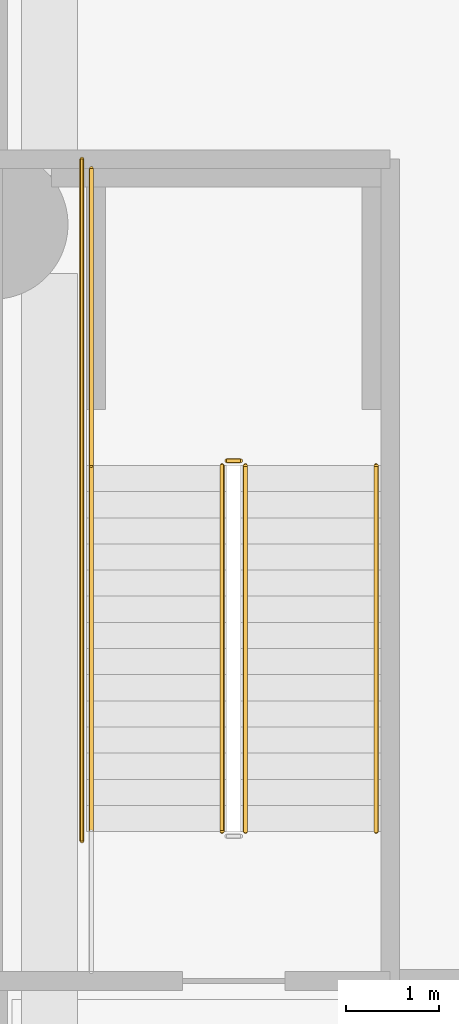
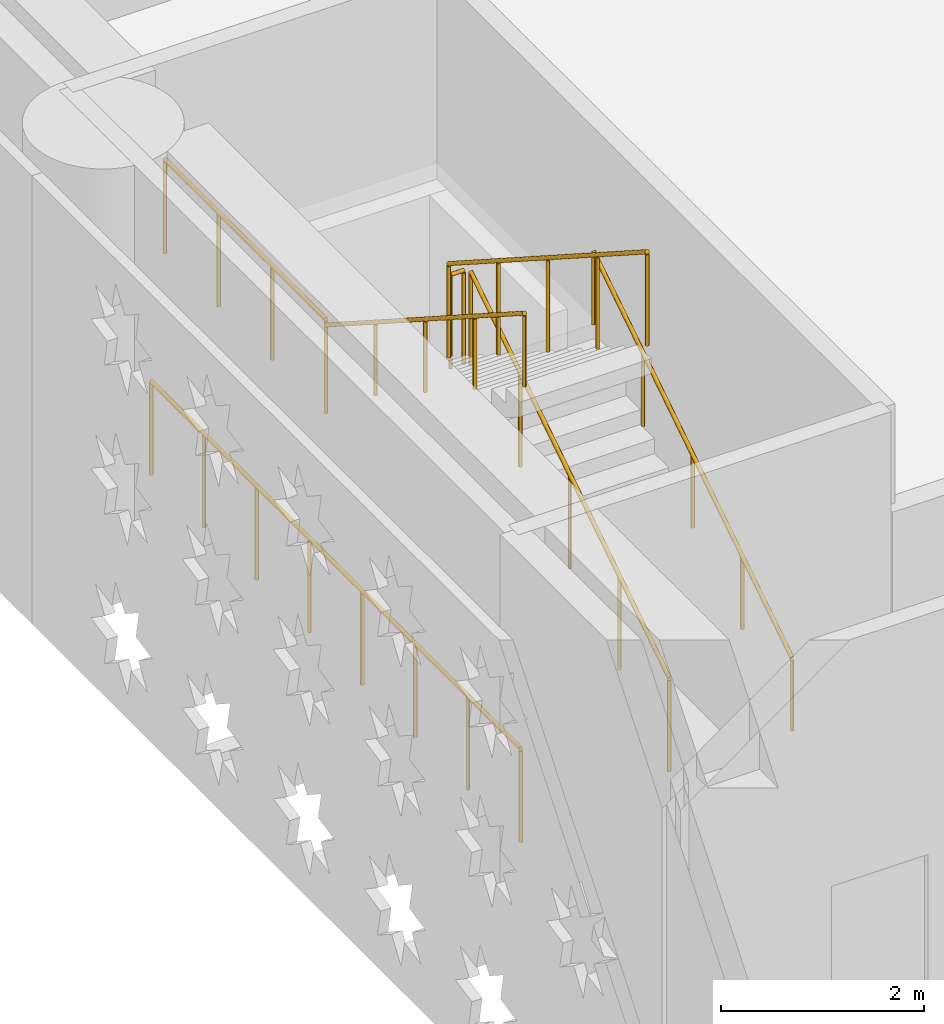
# One storey, part 18 of 30: 7 railings.
"""IFC4 building model written with IfcOpenShell, lengths in metres."""

from ifc_helpers import new_model, si_unit, direction, frame, origin, origin_2d, place, context, subcontext, project, spatial, circle, extrude, material, type_object, element, save


model = new_model("IFC4")

# Units and contexts
model_context = context("Model", 3, precision=1e-05, world=origin(), true_north=direction((0.0, 1.0)))
body_context = subcontext(model_context, "Body", "Model", "MODEL_VIEW")
ifc_project = project(units=[si_unit("LENGTHUNIT", "METRE"), si_unit("AREAUNIT", "SQUARE_METRE"), si_unit("VOLUMEUNIT", "CUBIC_METRE"), si_unit("PLANEANGLEUNIT", "RADIAN"), si_unit("MASSUNIT", "GRAM", prefix="KILO")], contexts=[model_context])

# Site, building, storey
site_placement = place(None, origin())
site = spatial("IfcSite", under=ifc_project, at=site_placement, CompositionType="ELEMENT")
building_placement = place(site_placement, origin())
building = spatial("IfcBuilding", under=site, at=building_placement, Name="Saffron Iwan Residences", CompositionType="ELEMENT")
storey_placement = place(building_placement, frame((0.0, 0.0, 7.800048828125)))
storey = spatial("IfcBuildingStorey", under=building, at=storey_placement, Name="L01", CompositionType="ELEMENT", Elevation=7.800048828125)

# Railings
ifc_material = material(Name="Steel S355", Category="steel")
railing_type_1 = type_object("IfcRailingType", Name="Podium stair guard 1150", PredefinedType="GUARDRAIL", material=ifc_material)
railing_1_placement = place(storey_placement, frame((2.699951171875, 55.89990234375, 0.179931640625)))
element("IfcRailing", 1, at=railing_1_placement, inside=storey, type_object=railing_type_1, Name="L01 PS3 stair guard 1", PredefinedType="GUARDRAIL", context=body_context, shape_type="SweptSolid", body=[
    extrude(circle(Radius=0.02392578125, at=origin_2d()), frame((0.0, 0.0, 1.1259765625), z_axis=(0.0, 0.841186985886, 0.540744352514), x_axis=(-1.0, 0.0, 0.0)), (0.0, 0.0, 1.0), 4.660400390625),
    extrude(circle(Radius=0.02099609375, at=origin_2d()), origin(), (0.0, 0.0, 1.0), 1.101806640625),
    extrude(circle(Radius=0.02099609375, at=origin_2d()), frame((0.0, 0.97998046875, 0.6298828125)), (0.0, 0.0, 1.0), 1.101806640625),
    extrude(circle(Radius=0.02099609375, at=origin_2d()), frame((0.0, 1.9599609375, 1.260009765625)), (0.0, 0.0, 1.0), 1.101806640625),
    extrude(circle(Radius=0.02099609375, at=origin_2d()), frame((0.0, 2.940185546875, 1.89013671875)), (0.0, 0.0, 1.0), 1.101806640625),
    extrude(circle(Radius=0.02099609375, at=origin_2d()), frame((0.0, 3.920166015625, 2.52001953125)), (0.0, 0.0, 1.0), 1.101806640625),
])
railing_2_placement = place(storey_placement, frame((2.64990234375, 59.8701171875, 2.699951171875)))
element("IfcRailing", 2, at=railing_2_placement, inside=storey, type_object=railing_type_1, Name="L01 PS3 stair guard 2", PredefinedType="GUARDRAIL", context=body_context, shape_type="SweptSolid", body=[
    extrude(circle(Radius=0.02392578125, at=origin_2d()), frame((0.0, 0.0, 1.1259765625), z_axis=(-1.0, 0.0, 0.0), x_axis=(0.0, -1.0, 0.0)), (0.0, 0.0, 1.0), 0.14990234375),
    extrude(circle(Radius=0.02099609375, at=origin_2d()), origin(), (0.0, 0.0, 1.0), 1.101806640625),
    extrude(circle(Radius=0.02099609375, at=origin_2d()), frame((-0.14990234375, 0.0, 0.0)), (0.0, 0.0, 1.0), 1.101806640625),
])
railing_3_placement = place(storey_placement, frame((1.050048828125, 59.820068359375, 2.699951171875)))
element("IfcRailing", 3, at=railing_3_placement, inside=storey, type_object=railing_type_1, Name="L01 PS3 stair guard 3", PredefinedType="GUARDRAIL", context=body_context, shape_type="SweptSolid", body=[
    extrude(circle(Radius=0.02392578125, at=origin_2d()), frame((0.0, 0.0, 1.1259765625), z_axis=(0.0, 1.0, 0.0), x_axis=(-1.0, 0.0, 0.0)), (0.0, 0.0, 1.0), 3.179931640625),
    extrude(circle(Radius=0.02099609375, at=origin_2d()), origin(), (0.0, 0.0, 1.0), 1.101806640625),
    extrude(circle(Radius=0.02099609375, at=origin_2d()), frame((0.0, 1.06005859375, 0.0)), (0.0, 0.0, 1.0), 1.101806640625),
    extrude(circle(Radius=0.02099609375, at=origin_2d()), frame((0.0, 2.119873046875, 0.0)), (0.0, 0.0, 1.0), 1.101806640625),
    extrude(circle(Radius=0.02099609375, at=origin_2d()), frame((0.0, 3.179931640625, 0.0)), (0.0, 0.0, 1.0), 1.101806640625),
])
railing_4_placement = place(storey_placement, frame((2.449951171875, 59.820068359375, 2.8798828125)))
element("IfcRailing", 4, at=railing_4_placement, inside=storey, type_object=railing_type_1, Name="L01 PS3 stair guard 4", PredefinedType="GUARDRAIL", context=body_context, shape_type="SweptSolid", body=[
    extrude(circle(Radius=0.02392578125, at=origin_2d()), frame((0.0, 0.0, 1.1259765625), z_axis=(0.0, -0.841186985886, 0.540744352514), x_axis=(1.0, 0.0, 0.0)), (0.0, 0.0, 1.0), 4.660400390625),
    extrude(circle(Radius=0.02099609375, at=origin_2d()), origin(), (0.0, 0.0, 1.0), 1.101806640625),
    extrude(circle(Radius=0.02099609375, at=origin_2d()), frame((0.0, -0.97998046875, 0.6298828125)), (0.0, 0.0, 1.0), 1.101806640625),
    extrude(circle(Radius=0.02099609375, at=origin_2d()), frame((0.0, -1.9599609375, 1.260009765625)), (0.0, 0.0, 1.0), 1.101806640625),
    extrude(circle(Radius=0.02099609375, at=origin_2d()), frame((0.0, -2.940185546875, 1.89013671875)), (0.0, 0.0, 1.0), 1.101806640625),
    extrude(circle(Radius=0.02099609375, at=origin_2d()), frame((0.0, -3.920166015625, 2.52001953125)), (0.0, 0.0, 1.0), 1.101806640625),
])
railing_5_placement = place(storey_placement, frame((0.949951171875, 55.800048828125, 0.0)))
element("IfcRailing", 5, at=railing_5_placement, inside=storey, type_object=railing_type_1, Name="L01 PS3 stair guard 7", PredefinedType="GUARDRAIL", context=body_context, shape_type="SweptSolid", body=[
    extrude(circle(Radius=0.02392578125, at=origin_2d()), frame((0.0, 0.0, 1.1259765625), z_axis=(0.0, 1.0, 0.0), x_axis=(-1.0, 0.0, 0.0)), (0.0, 0.0, 1.0), 7.300048828125),
    extrude(circle(Radius=0.02099609375, at=origin_2d()), origin(), (0.0, 0.0, 1.0), 1.101806640625),
    extrude(circle(Radius=0.02099609375, at=origin_2d()), frame((0.0, 1.04296875, 0.0)), (0.0, 0.0, 1.0), 1.101806640625),
    extrude(circle(Radius=0.02099609375, at=origin_2d()), frame((0.0, 2.085693359375, 0.0)), (0.0, 0.0, 1.0), 1.101806640625),
    extrude(circle(Radius=0.02099609375, at=origin_2d()), frame((0.0, 3.128662109375, 0.0)), (0.0, 0.0, 1.0), 1.101806640625),
    extrude(circle(Radius=0.02099609375, at=origin_2d()), frame((0.0, 4.17138671875, 0.0)), (0.0, 0.0, 1.0), 1.101806640625),
    extrude(circle(Radius=0.02099609375, at=origin_2d()), frame((0.0, 5.21435546875, 0.0)), (0.0, 0.0, 1.0), 1.101806640625),
    extrude(circle(Radius=0.02099609375, at=origin_2d()), frame((0.0, 6.257080078125, 0.0)), (0.0, 0.0, 1.0), 1.101806640625),
    extrude(circle(Radius=0.02099609375, at=origin_2d()), frame((0.0, 7.300048828125, 0.0)), (0.0, 0.0, 1.0), 1.101806640625),
])
railing_type_2 = type_object("IfcRailingType", Name="Podium stair handrail 900", PredefinedType="HANDRAIL", material=ifc_material)
railing_6_placement = place(storey_placement, frame((4.10009765625, 55.89990234375, 0.179931640625)))
element("IfcRailing", 6, at=railing_6_placement, inside=storey, type_object=railing_type_2, Name="L01 PS3 stair handrail 1", PredefinedType="HANDRAIL", context=body_context, shape_type="SweptSolid", body=[
    extrude(circle(Radius=0.02392578125, at=origin_2d()), frame((0.0, 0.0, 0.8759765625), z_axis=(0.0, 0.841186985886, 0.540744352514), x_axis=(-1.0, 0.0, 0.0)), (0.0, 0.0, 1.0), 4.660400390625),
    extrude(circle(Radius=0.02099609375, at=origin_2d()), origin(), (0.0, 0.0, 1.0), 0.851806640625),
    extrude(circle(Radius=0.02099609375, at=origin_2d()), frame((0.0, 0.97998046875, 0.6298828125)), (0.0, 0.0, 1.0), 0.851806640625),
    extrude(circle(Radius=0.02099609375, at=origin_2d()), frame((0.0, 1.9599609375, 1.260009765625)), (0.0, 0.0, 1.0), 0.851806640625),
    extrude(circle(Radius=0.02099609375, at=origin_2d()), frame((0.0, 2.940185546875, 1.89013671875)), (0.0, 0.0, 1.0), 0.851806640625),
    extrude(circle(Radius=0.02099609375, at=origin_2d()), frame((0.0, 3.920166015625, 2.52001953125)), (0.0, 0.0, 1.0), 0.851806640625),
])
railing_7_placement = place(storey_placement, frame((1.050048828125, 59.820068359375, 2.8798828125)))
element("IfcRailing", 7, at=railing_7_placement, inside=storey, type_object=railing_type_2, Name="L01 PS3 stair handrail 2", PredefinedType="HANDRAIL", context=body_context, shape_type="SweptSolid", body=[
    extrude(circle(Radius=0.02392578125, at=origin_2d()), frame((0.0, 0.0, 0.8759765625), z_axis=(0.0, -0.841186985886, 0.540744352514), x_axis=(1.0, 0.0, 0.0)), (0.0, 0.0, 1.0), 4.660400390625),
    extrude(circle(Radius=0.02099609375, at=origin_2d()), origin(), (0.0, 0.0, 1.0), 0.851806640625),
    extrude(circle(Radius=0.02099609375, at=origin_2d()), frame((0.0, -0.97998046875, 0.6298828125)), (0.0, 0.0, 1.0), 0.851806640625),
    extrude(circle(Radius=0.02099609375, at=origin_2d()), frame((0.0, -1.9599609375, 1.260009765625)), (0.0, 0.0, 1.0), 0.851806640625),
    extrude(circle(Radius=0.02099609375, at=origin_2d()), frame((0.0, -2.940185546875, 1.89013671875)), (0.0, 0.0, 1.0), 0.851806640625),
    extrude(circle(Radius=0.02099609375, at=origin_2d()), frame((0.0, -3.920166015625, 2.52001953125)), (0.0, 0.0, 1.0), 0.851806640625),
])

save(model, "model.ifc")
